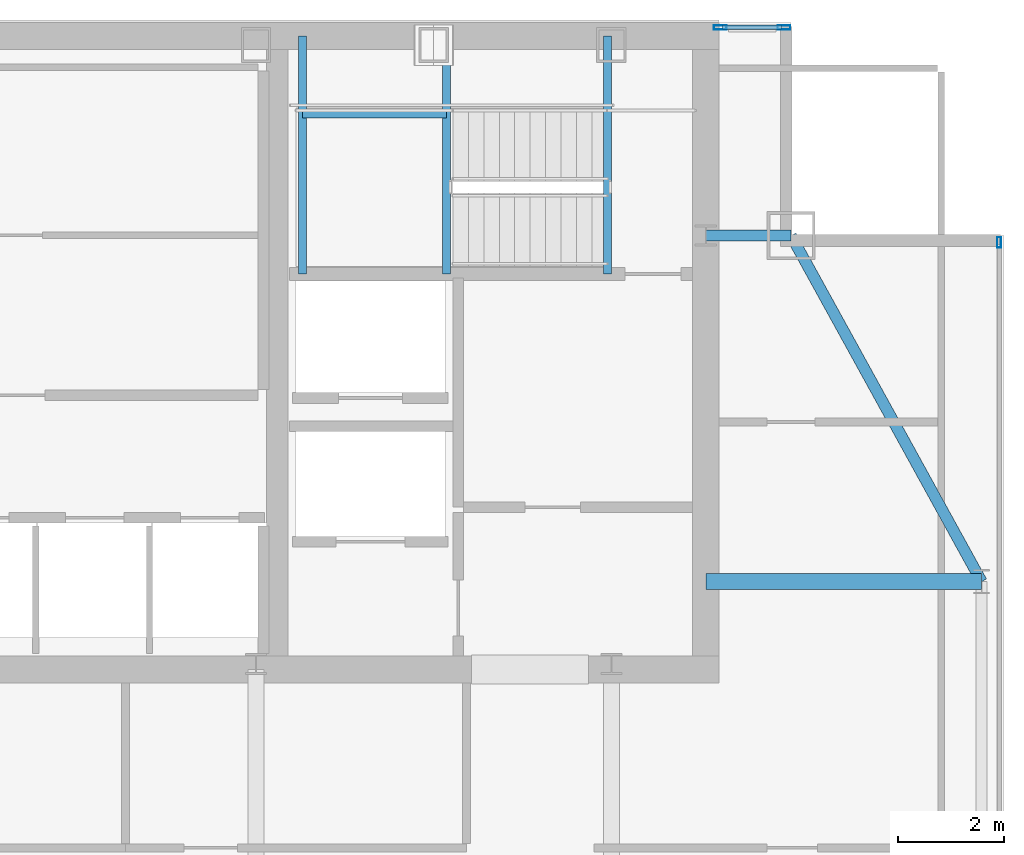
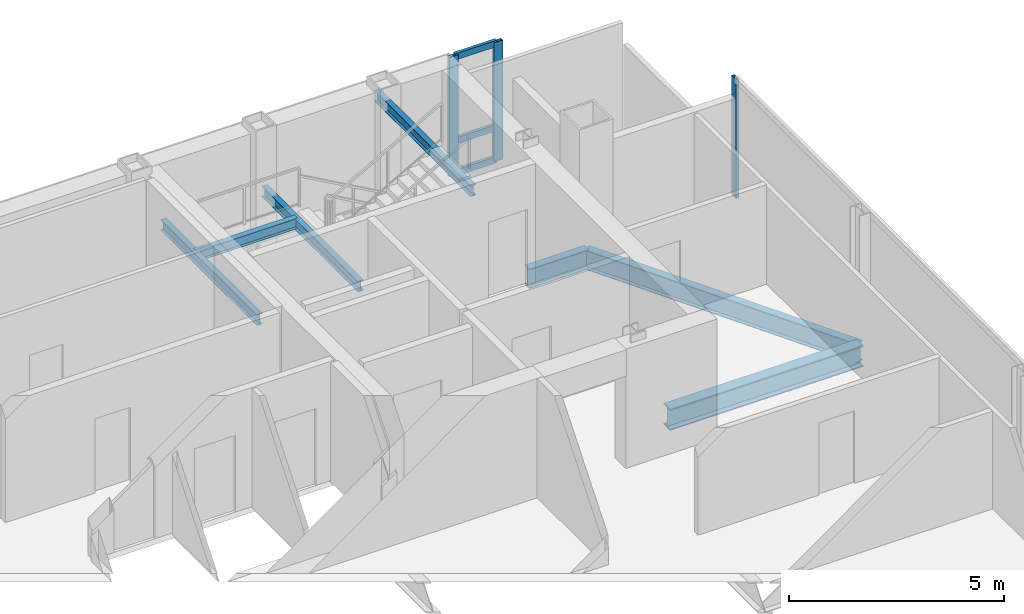
# One storey, part 17 of 24: 7 beams, 6 members, 2 elements without a shape of their own.
"""IFC4 building model written with IfcOpenShell, lengths in metres."""

import ifcopenshell
import ifcopenshell.guid

model = None  # the IFC model being written
_history = None  # IfcOwnerHistory: only IFC2X3 demands one
_inside = {}  # id of a spatial element -> (the spatial element, [elements in it])
_under = {}  # id of a project, library or spatial element -> (it, [spatial elements below it])
_declared = {}  # id of a project -> (the project, [libraries it declares])
_typed = {}  # id of a type object -> (the type object, [elements of that type])
_made_of = {}  # id of a material, layer set ... -> (it, [elements and type objects made of it])


def new_model(schema):
    """Start an empty IFC model of exactly this schema.

    Asked for "IFC4X3", IfcOpenShell would pick the latest addendum, in which some entities
    have other attributes; the version numbers below select the first issue.
    IFC2X3 requires an IfcOwnerHistory on every rooted entity: one is made here for all.
    """
    global model, _history
    if schema == "IFC4X3":
        model = ifcopenshell.file(schema_version=(4, 3, 0, 0))
    else:
        model = ifcopenshell.file(schema=schema)
    _inside.clear()
    _under.clear()
    _declared.clear()
    _typed.clear()
    _made_of.clear()
    _history = None
    if model.schema == "IFC2X3":
        org = make("IfcOrganization", Name="unknown")
        user = make(
            "IfcPersonAndOrganization",
            ThePerson=make("IfcPerson", FamilyName="unknown"),
            TheOrganization=org,
        )
        app = make(
            "IfcApplication",
            ApplicationDeveloper=org,
            Version="unknown",
            ApplicationFullName="unknown",
            ApplicationIdentifier="unknown",
        )
        _history = make(
            "IfcOwnerHistory",
            OwningUser=user,
            OwningApplication=app,
            ChangeAction="ADDED",
            CreationDate=0,
        )
    return model


def make(cls, **values):
    """One entity of the class cls with the attributes given. An attribute that is None is left unset."""
    return model.create_entity(
        cls, **{name: value for name, value in values.items() if value is not None}
    )


def rooted(cls, **values):
    """An entity with a GlobalId (a new one), such as an element, a storey or a relation."""
    return make(cls, GlobalId=ifcopenshell.guid.new(), OwnerHistory=_history, **values)


def si_unit(unit_type, name, prefix=None):
    """IfcSIUnit, for example si_unit("LENGTHUNIT", "METRE", prefix="MILLI")."""
    return make("IfcSIUnit", UnitType=unit_type, Prefix=prefix, Name=name)


def assignment(units):
    """IfcUnitAssignment: the units of a project."""
    return None if units is None else make("IfcUnitAssignment", Units=units)


def point(xyz):
    """IfcCartesianPoint."""
    return None if xyz is None else make("IfcCartesianPoint", Coordinates=xyz)


def direction(xyz):
    """IfcDirection."""
    return None if xyz is None else make("IfcDirection", DirectionRatios=xyz)


def frame(location, z_axis=None, x_axis=None):
    """IfcAxis2Placement3D, a coordinate frame: its origin and axes. An axis left out is left unset."""
    return make(
        "IfcAxis2Placement3D",
        Location=point(location),
        Axis=direction(z_axis),
        RefDirection=direction(x_axis),
    )


def frame_2d(location, x_axis=None):
    """IfcAxis2Placement2D, a coordinate frame in the plane: its origin and x axis."""
    return make(
        "IfcAxis2Placement2D", Location=point(location), RefDirection=direction(x_axis)
    )


def origin():
    """The frame at (0, 0, 0) with its axes left unset."""
    return frame((0.0, 0.0, 0.0))


def origin_2d():
    """The frame at (0, 0) in the plane with its x axis left unset."""
    return frame_2d((0.0, 0.0))


def place(relative_to, where):
    """IfcLocalPlacement: puts the frame where relative to a parent placement (None: the world)."""
    return make(
        "IfcLocalPlacement", PlacementRelTo=relative_to, RelativePlacement=where
    )


def context(
    kind, dimensions, precision=None, world=None, true_north=None, identifier=None
):
    """IfcGeometricRepresentationContext, for example the 3D "Model" context."""
    return make(
        "IfcGeometricRepresentationContext",
        ContextIdentifier=identifier,
        ContextType=kind,
        CoordinateSpaceDimension=dimensions,
        Precision=precision,
        WorldCoordinateSystem=world,
        TrueNorth=true_north,
    )


def subcontext(parent, identifier, kind, view, scale=None):
    """IfcGeometricRepresentationSubContext, for example "Body" below "Model"."""
    return make(
        "IfcGeometricRepresentationSubContext",
        ContextIdentifier=identifier,
        ContextType=kind,
        ParentContext=parent,
        TargetScale=scale,
        TargetView=view,
    )


def project(units=None, contexts=None):
    """IfcProject with its units and contexts."""
    return rooted(
        "IfcProject",
        Name="project",
        RepresentationContexts=contexts,
        UnitsInContext=assignment(units),
    )


def spatial(cls, under=None, at=None, **own):
    """A site, building, storey or space (cls), placed at a placement, below another one or the project."""
    s = rooted(cls, ObjectPlacement=at, **own)
    if under is not None:
        _under.setdefault(under.id(), (under, []))[1].append(s)
    return s


def profile(cls, at=None, kind="AREA", **sizes):
    """A parametric profile (cls). Its sizes go by their IFC names, for example OverallWidth=200.0."""
    return make(cls, ProfileType=kind, Position=at, **sizes)


def hollow_rectangle(**sizes):
    """IfcRectangleHollowProfileDef."""
    return profile("IfcRectangleHollowProfileDef", **sizes)


def i_section(**sizes):
    """IfcIShapeProfileDef."""
    return profile("IfcIShapeProfileDef", **sizes)


def extrude(swept, where, along, depth):
    """IfcExtrudedAreaSolid: the profile swept, set in the frame where, extruded along a direction by depth."""
    return make(
        "IfcExtrudedAreaSolid",
        SweptArea=swept,
        Position=where,
        ExtrudedDirection=direction(along),
        Depth=depth,
    )


def shape(context_of_items, identifier, shape_type, items):
    """IfcShapeRepresentation: the items that make up one representation, for example the "Body"."""
    return make(
        "IfcShapeRepresentation",
        ContextOfItems=context_of_items,
        RepresentationIdentifier=identifier,
        RepresentationType=shape_type,
        Items=items,
    )


def material(Name=None, Category=None):
    """IfcMaterial."""
    return make("IfcMaterial", Name=Name, Category=Category)


def material_profile(
    of_material, cross_section, Name=None, Category=None, Priority=None
):
    """IfcMaterialProfile: a cross section and its material."""
    return make(
        "IfcMaterialProfile",
        Name=Name,
        Material=of_material,
        Profile=cross_section,
        Priority=Priority,
        Category=Category,
    )


def profile_set(profiles, Name=None, composite=None):
    """IfcMaterialProfileSet."""
    return make(
        "IfcMaterialProfileSet",
        Name=Name,
        MaterialProfiles=profiles,
        CompositeProfile=composite,
    )


def made_of(thing, what):
    """Note that an element or type object is made of a material, layer set ...; save() writes the relation."""
    if what is not None:
        _made_of.setdefault(what.id(), (what, []))[1].append(thing)
    return thing


def type_object(cls, material=None, **own):
    """A type object (cls), such as IfcWallType, which elements share."""
    return made_of(rooted(cls, **own), material)


def element(
    cls,
    number,
    at=None,
    inside=None,
    cuts=None,
    type_object=None,
    material=None,
    context=None,
    identifier="Body",
    shape_type=None,
    held_by="IfcProductDefinitionShape",
    body=None,
    shapes=None,
    **own,
):
    """One element of the class cls, such as IfcWall. Its Tag is "e" and its number.

    at: its placement. inside: the storey or other place that contains it. cuts: it is an
    opening in that element (IfcRelVoidsElement). A single representation is given by context,
    identifier, shape_type and body (its items); several are given by shapes. held_by: the class
    of the entity that holds the representations. save() writes the other relations.
    """
    e = rooted(cls, Tag="e%d" % number, ObjectPlacement=at, **own)
    if body is not None:
        shapes = [shape(context, identifier, shape_type, body)]
    if shapes is not None:
        e.Representation = make(held_by, Representations=shapes)
    if inside is not None:
        _inside.setdefault(inside.id(), (inside, []))[1].append(e)
    if cuts is not None:
        rooted(
            "IfcRelVoidsElement", RelatingBuildingElement=cuts, RelatedOpeningElement=e
        )
    if type_object is not None:
        _typed.setdefault(type_object.id(), (type_object, []))[1].append(e)
    return made_of(e, material)


def aggregate(whole, parts):
    """IfcRelAggregates: a whole, such as a stair, and the parts it consists of."""
    return rooted("IfcRelAggregates", RelatingObject=whole, RelatedObjects=parts)


def save(model, path):
    """Write the relations noted so far, then the file.

    IfcRelAggregates (storeys below a building ...), IfcRelContainedInSpatialStructure (elements
    in a storey), IfcRelDefinesByType, IfcRelAssociatesMaterial and IfcRelDeclares: one each for
    every whole, place, type object, material and project.
    """
    for whole, parts in _under.values():
        aggregate(whole, parts)
    for where, things in _inside.values():
        rooted(
            "IfcRelContainedInSpatialStructure",
            RelatedElements=things,
            RelatingStructure=where,
        )
    for kind, things in _typed.values():
        rooted("IfcRelDefinesByType", RelatedObjects=things, RelatingType=kind)
    for what, things in _made_of.values():
        rooted("IfcRelAssociatesMaterial", RelatedObjects=things, RelatingMaterial=what)
    for by, libraries in _declared.values():
        rooted("IfcRelDeclares", RelatingContext=by, RelatedDefinitions=libraries)
    model.write(path)


model = new_model("IFC4")

# Units and contexts
model_context = context("Model", 3, precision=1e-05, world=origin(), true_north=direction((0.0, 1.0)))
body_context = subcontext(model_context, "Body", "Model", "MODEL_VIEW")
ifc_project = project(units=[si_unit("LENGTHUNIT", "METRE"), si_unit("AREAUNIT", "SQUARE_METRE"), si_unit("VOLUMEUNIT", "CUBIC_METRE"), si_unit("PLANEANGLEUNIT", "RADIAN"), si_unit("MASSUNIT", "GRAM", prefix="KILO")], contexts=[model_context])

# Site, building, storey
site_placement = place(None, origin())
site = spatial("IfcSite", under=ifc_project, at=site_placement, CompositionType="ELEMENT")
building_placement = place(site_placement, origin())
building = spatial("IfcBuilding", under=site, at=building_placement, Name="Khoronbel Lancet Exchange", CompositionType="ELEMENT")
storey_placement = place(building_placement, frame((0.0, 0.0, 347.0)))
storey = spatial("IfcBuildingStorey", under=building, at=storey_placement, Name="L90", CompositionType="ELEMENT", Elevation=347.0)

# Beams
ifc_material_1 = material(Name="Steel S355", Category="steel")
ifc_material_profile_1 = material_profile(ifc_material_1, i_section(OverallWidth=0.300048828125, OverallDepth=0.60009765625, WebThickness=0.015380859375, FlangeThickness=0.030029296875, at=origin_2d()), Name="HEB 600")
ifc_profile_set_1 = profile_set([ifc_material_profile_1], Name="Steel S355")
beam_type_1 = type_object("IfcBeamType", Name="BM-BG5", PredefinedType="BEAM", material=ifc_profile_set_1)
beam_1_placement = place(storey_placement, frame((56.449951171875, 43.199951171875, -0.4599609375), z_axis=(1.0, 0.0, 0.0), x_axis=(0.0, 1.0, 0.0)))
element("IfcBeam", 1, at=beam_1_placement, inside=storey, type_object=beam_type_1, Name="Level L90 east lens tie girder LG3E", PredefinedType="BEAM", context=body_context, shape_type="SweptSolid", body=[
    extrude(i_section(OverallWidth=0.300048828125, OverallDepth=0.60009765625, WebThickness=0.015380859375, FlangeThickness=0.030029296875, at=origin_2d()), origin(), (0.0, 0.0, 1.0), 5.179931640625),
])
ifc_material_profile_2 = material_profile(ifc_material_1, i_section(OverallWidth=0.14990234375, OverallDepth=0.300048828125, WebThickness=0.007080078125, FlangeThickness=0.0107421875, at=origin_2d()), Name="IPE 300")
ifc_profile_set_2 = profile_set([ifc_material_profile_2], Name="Steel S355")
beam_type_2 = type_object("IfcBeamType", Name="BM-BJ8", PredefinedType="JOIST", material=ifc_profile_set_2)
for number, where, z_axis, x_axis, name in (
    (2, (51.580078125, 48.97998046875, 1.449951171875), (0.0, 1.0, 0.0), (-1.0, 0.0, 0.0), "Level L90 stair ST2 landing bearer beam 1"),
    (3, (48.8701171875, 48.97998046875, 1.449951171875), (0.0, 1.0, 0.0), (-1.0, 0.0, 0.0), "Level L90 stair ST2 rear landing bearer beam 1"),
):
    element("IfcBeam", number, at=place(storey_placement, frame(where, z_axis=z_axis, x_axis=x_axis)), inside=storey, type_object=beam_type_2, Name=name, PredefinedType="JOIST", context=body_context, shape_type="SweptSolid", body=[
        extrude(i_section(OverallWidth=0.14990234375, OverallDepth=0.300048828125, WebThickness=0.007080078125, FlangeThickness=0.0107421875, at=origin_2d()), origin(), (0.0, 0.0, 1.0), 4.469970703125),
    ])
beam_2_placement = place(storey_placement, frame((48.8701171875, 51.97998046875, 1.449951171875), z_axis=(1.0, 0.0, 0.0), x_axis=(0.0, 1.0, 0.0)))
element("IfcBeam", 4, at=beam_2_placement, inside=storey, type_object=beam_type_2, Name="Level L90 stair ST2 landing cross trimmer beam 1", PredefinedType="JOIST", context=body_context, shape_type="SweptSolid", body=[
    extrude(i_section(OverallWidth=0.14990234375, OverallDepth=0.300048828125, WebThickness=0.007080078125, FlangeThickness=0.0107421875, at=origin_2d()), origin(), (0.0, 0.0, 1.0), 2.7099609375),
])
beam_3_placement = place(storey_placement, frame((54.60009765625, 48.97998046875, 3.10009765625), z_axis=(0.0, 1.0, 0.0), x_axis=(-1.0, 0.0, 0.0)))
element("IfcBeam", 5, at=beam_3_placement, inside=storey, type_object=beam_type_2, Name="Level L90 stair ST2 upper-flight arrival trimmer beam", PredefinedType="JOIST", context=body_context, shape_type="SweptSolid", body=[
    extrude(i_section(OverallWidth=0.14990234375, OverallDepth=0.300048828125, WebThickness=0.007080078125, FlangeThickness=0.0107421875, at=origin_2d()), origin(), (0.0, 0.0, 1.0), 4.469970703125),
])
ifc_material_profile_3 = material_profile(ifc_material_1, i_section(OverallWidth=0.2099609375, OverallDepth=0.550048828125, WebThickness=0.010986328125, FlangeThickness=0.01708984375, at=origin_2d()), Name="IPE 550")
ifc_profile_set_3 = profile_set([ifc_material_profile_3], Name="Steel S355")
beam_type_3 = type_object("IfcBeamType", Name="BM-BSP3", PredefinedType="SPANDREL", material=ifc_profile_set_3)
beam_4_placement = place(storey_placement, frame((61.6298828125, 43.199951171875, -0.43505859375), z_axis=(-0.482418808117, 0.875940690672, 0.0), x_axis=(-0.875940690672, -0.482418808117, 0.0)))
element("IfcBeam", 6, at=beam_4_placement, inside=storey, type_object=beam_type_3, Name="Level L90 perimeter spandrel beam SP13", PredefinedType="SPANDREL", context=body_context, shape_type="SweptSolid", body=[
    extrude(i_section(OverallWidth=0.2099609375, OverallDepth=0.550048828125, WebThickness=0.010986328125, FlangeThickness=0.01708984375, at=origin_2d()), origin(), (0.0, 0.0, 1.0), 7.420654296875),
])
beam_5_placement = place(storey_placement, frame((58.050048828125, 49.699951171875, -0.43505859375), z_axis=(-1.0, 0.0, 0.0), x_axis=(0.0, -1.0, 0.0)))
element("IfcBeam", 7, at=beam_5_placement, inside=storey, type_object=beam_type_3, Name="Level L90 north flank tie spandrel SP21", PredefinedType="SPANDREL", context=body_context, shape_type="SweptSolid", body=[
    extrude(i_section(OverallWidth=0.2099609375, OverallDepth=0.550048828125, WebThickness=0.010986328125, FlangeThickness=0.01708984375, at=origin_2d()), origin(), (0.0, 0.0, 1.0), 1.60009765625),
])

# Curtain wall, members
ifc_material_2 = material(Name="Low-E Solar Control Insulating Glass", Category="glass")
curtain_wall_type_1 = type_object("IfcCurtainWallType", Name="CW-3", PredefinedType="NOTDEFINED", material=ifc_material_2)
curtain_wall_1_placement = place(storey_placement, origin())
curtain_wall_1 = element("IfcCurtainWall", 8, at=curtain_wall_1_placement, inside=storey, type_object=curtain_wall_type_1, Name="Unitised curtain wall CW-L90-NEFLK", PredefinedType="NOTDEFINED")
ifc_material_3 = material(Name="Bronze-Anodised Aluminium 6063-T6", Category="aluminium")
ifc_material_profile_4 = material_profile(ifc_material_3, hollow_rectangle(XDim=0.0849609375, YDim=0.239990234375, WallThickness=0.006103515625, at=origin_2d()), Name="ALU MULLION 85x240")
ifc_profile_set_4 = profile_set([ifc_material_profile_4], Name="Bronze-Anodised Aluminium 6063-T6")
member_type_1 = type_object("IfcMemberType", Name="MEM-CWM1", PredefinedType="MULLION", material=ifc_profile_set_4)
member_1_placement = place(storey_placement, frame((57.91748046875, 53.610107421875, 0.0), z_axis=(0.0, 0.0, 1.0), x_axis=(0.0, -1.0, 0.0)))
member_1 = element("IfcMember", 9, at=member_1_placement, type_object=member_type_1, Name="CW3 mullion 1", PredefinedType="MULLION", context=body_context, shape_type="SweptSolid", body=[
    extrude(hollow_rectangle(XDim=0.0849609375, YDim=0.239990234375, WallThickness=0.006103515625, at=origin_2d()), origin(), (0.0, 0.0, 1.0), 3.3798828125),
])
member_2_placement = place(storey_placement, frame((56.722412109375, 53.610107421875, 0.0), z_axis=(0.0, 0.0, 1.0), x_axis=(0.0, -1.0, 0.0)))
member_2 = element("IfcMember", 10, at=member_2_placement, type_object=member_type_1, Name="CW3 mullion 2", PredefinedType="MULLION", context=body_context, shape_type="SweptSolid", body=[
    extrude(hollow_rectangle(XDim=0.0849609375, YDim=0.239990234375, WallThickness=0.006103515625, at=origin_2d()), origin(), (0.0, 0.0, 1.0), 3.3798828125),
])

# Curtain wall, member
curtain_wall_type_2 = type_object("IfcCurtainWallType", Name="CW-4", PredefinedType="NOTDEFINED", material=ifc_material_2)
curtain_wall_2_placement = place(storey_placement, origin())
curtain_wall_2 = element("IfcCurtainWall", 11, at=curtain_wall_2_placement, inside=storey, type_object=curtain_wall_type_2, Name="Unitised curtain wall CW-L90-E09", PredefinedType="NOTDEFINED")
ifc_material_profile_5 = material_profile(ifc_material_3, hollow_rectangle(XDim=0.074951171875, YDim=0.199951171875, WallThickness=0.0048828125, at=origin_2d()), Name="ALU MULLION 75x200")
ifc_profile_set_5 = profile_set([ifc_material_profile_5], Name="Bronze-Anodised Aluminium 6063-T6")
member_type_2 = type_object("IfcMemberType", Name="MEM-CWM2", PredefinedType="MULLION", material=ifc_profile_set_5)
member_3_placement = place(storey_placement, frame((61.9599609375, 49.572509765625, 0.0), z_axis=(0.0, 0.0, 1.0), x_axis=(1.0, 0.0, 0.0)))
member_3 = element("IfcMember", 12, at=member_3_placement, type_object=member_type_2, Name="CW4 mullion 1", PredefinedType="MULLION", context=body_context, shape_type="SweptSolid", body=[
    extrude(hollow_rectangle(XDim=0.074951171875, YDim=0.199951171875, WallThickness=0.0048828125, at=origin_2d()), origin(), (0.0, 0.0, 1.0), 3.3798828125),
])
aggregate(curtain_wall_2, [member_3])

# Member
ifc_material_profile_6 = material_profile(ifc_material_3, hollow_rectangle(XDim=0.0849609375, YDim=0.179931640625, WallThickness=0.0048828125, at=origin_2d()), Name="ALU TRANSOM 85x180")
ifc_profile_set_6 = profile_set([ifc_material_profile_6], Name="Bronze-Anodised Aluminium 6063-T6")
member_type_3 = type_object("IfcMemberType", Name="MEM-CWT1", PredefinedType="USERDEFINED", material=ifc_profile_set_6)
member_4_placement = place(storey_placement, frame((57.875, 53.610107421875, 0.04248046875), z_axis=(-1.0, 0.0, 0.0), x_axis=(0.0, -1.0, 0.0)))
member_4 = element("IfcMember", 13, at=member_4_placement, type_object=member_type_3, Name="CW3 transom 1.1", ObjectType="TRANSOM", PredefinedType="USERDEFINED", context=body_context, shape_type="SweptSolid", body=[
    extrude(hollow_rectangle(XDim=0.0849609375, YDim=0.179931640625, WallThickness=0.0048828125, at=origin_2d()), origin(), (0.0, 0.0, 1.0), 1.110107421875),
])

member_5_placement = place(storey_placement, frame((57.875, 53.610107421875, 0.949951171875), z_axis=(-1.0, 0.0, 0.0), x_axis=(0.0, -1.0, 0.0)))
member_5 = element("IfcMember", 14, at=member_5_placement, type_object=member_type_3, Name="CW3 transom 1.2", ObjectType="TRANSOM", PredefinedType="USERDEFINED", context=body_context, shape_type="SweptSolid", body=[
    extrude(hollow_rectangle(XDim=0.0849609375, YDim=0.179931640625, WallThickness=0.0048828125, at=origin_2d()), origin(), (0.0, 0.0, 1.0), 1.110107421875),
])

member_6_placement = place(storey_placement, frame((57.875, 53.610107421875, 3.33740234375), z_axis=(-1.0, 0.0, 0.0), x_axis=(0.0, -1.0, 0.0)))
member_6 = element("IfcMember", 15, at=member_6_placement, type_object=member_type_3, Name="CW3 transom 1.3", ObjectType="TRANSOM", PredefinedType="USERDEFINED", context=body_context, shape_type="SweptSolid", body=[
    extrude(hollow_rectangle(XDim=0.0849609375, YDim=0.179931640625, WallThickness=0.0048828125, at=origin_2d()), origin(), (0.0, 0.0, 1.0), 1.110107421875),
])

aggregate(curtain_wall_1, [member_1, member_2, member_4, member_5, member_6])

save(model, "model.ifc")
